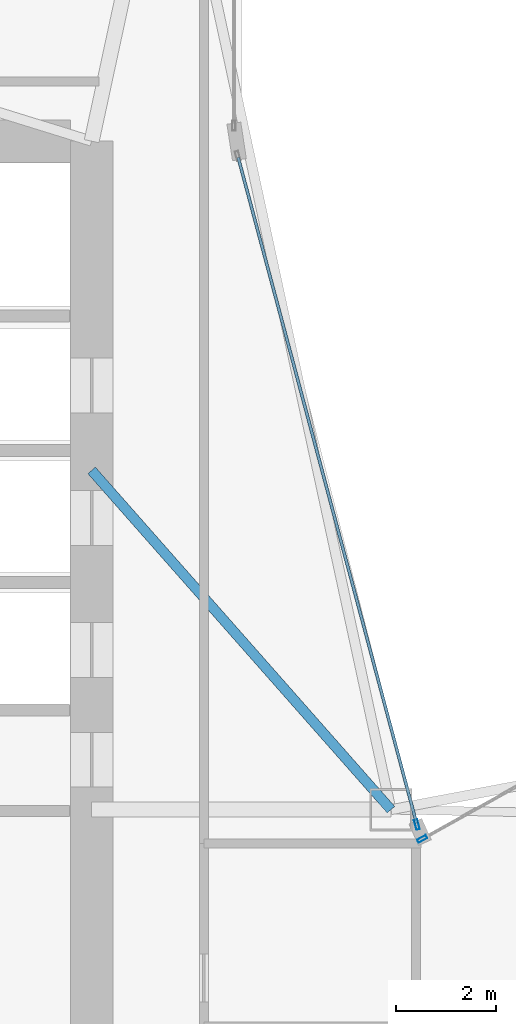
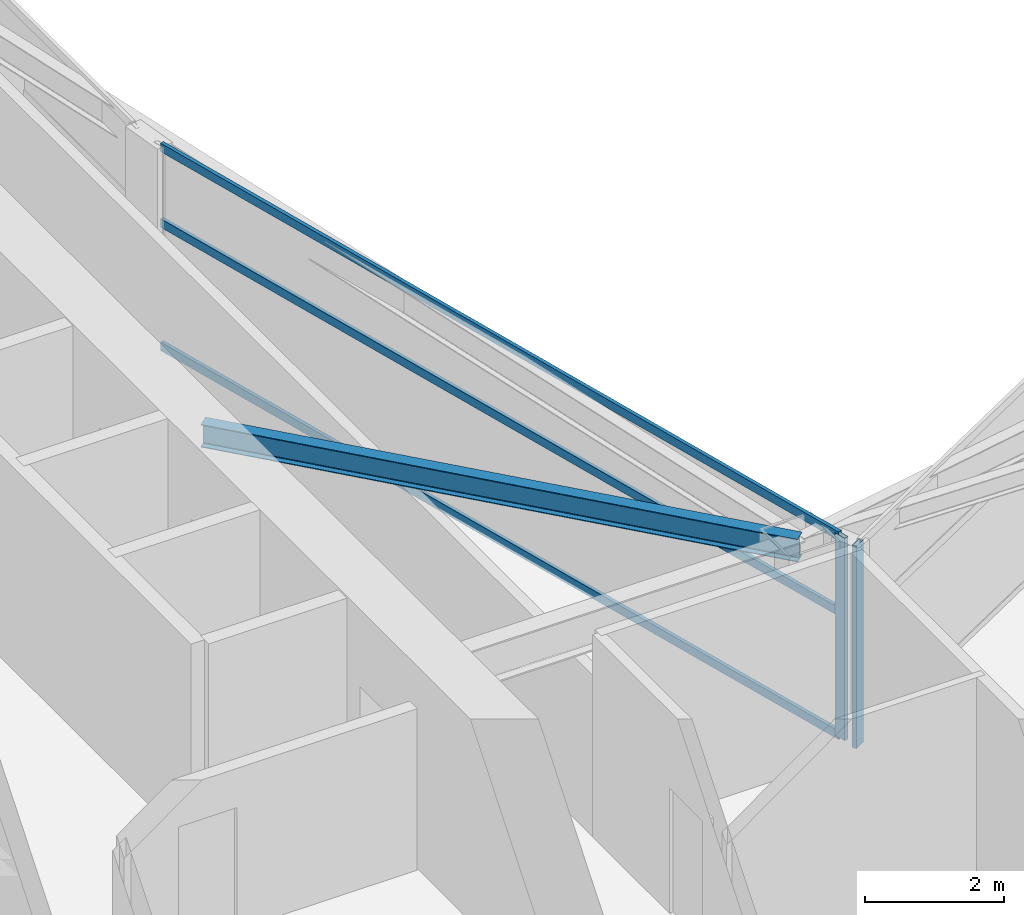
# One storey, part 10 of 29: 5 members, 1 beam, 2 elements without a shape of their own.
"""IFC4 building model written with IfcOpenShell, lengths in metres."""

from ifc_helpers import new_model, si_unit, direction, frame, origin, origin_2d, place, context, subcontext, project, spatial, hollow_rectangle, i_section, extrude, material, layer, layer_set, material_profile, profile_set, type_object, element, aggregate, save


model = new_model("IFC4")

# Units and contexts
model_context = context("Model", 3, precision=1e-05, world=origin(), true_north=direction((0.0, 1.0)))
body_context = subcontext(model_context, "Body", "Model", "MODEL_VIEW")
ifc_project = project(units=[si_unit("LENGTHUNIT", "METRE"), si_unit("AREAUNIT", "SQUARE_METRE"), si_unit("VOLUMEUNIT", "CUBIC_METRE"), si_unit("PLANEANGLEUNIT", "RADIAN"), si_unit("MASSUNIT", "GRAM", prefix="KILO")], contexts=[model_context])

# Site, building, storey
site_placement = place(None, origin())
site = spatial("IfcSite", under=ifc_project, at=site_placement, CompositionType="ELEMENT")
building_placement = place(site_placement, origin())
building = spatial("IfcBuilding", under=site, at=building_placement, Name="Calvorn Quay Hotel", CompositionType="ELEMENT")
storey_placement = place(building_placement, frame((0.0, 0.0, 120.199951171875)))
storey = spatial("IfcBuildingStorey", under=building, at=storey_placement, Name="L29", CompositionType="ELEMENT", Elevation=120.199951171875)

# Beam
ifc_material_1 = material(Name="Steel Q355B", Category="steel")
ifc_material_profile_1 = material_profile(ifc_material_1, i_section(OverallWidth=0.199951171875, OverallDepth=0.39990234375, WebThickness=0.008056640625, FlangeThickness=0.012939453125, FilletRadius=0.01611328125, at=origin_2d()), Name="HN400x200x8x13")
ifc_profile_set_1 = profile_set([ifc_material_profile_1], Name="Steel Q355B")
beam_type = type_object("IfcBeamType", Name="BM-JOIST-TYP", PredefinedType="JOIST", material=ifc_profile_set_1)
beam_placement = place(storey_placement, frame((15.0, 31.800048828125, 3.340087890625), z_axis=(0.661618965899, -0.749840212287, 0.0), x_axis=(0.749840212287, 0.661618965899, 0.0)))
element("IfcBeam", 1, at=beam_placement, inside=storey, type_object=beam_type, Name="Beam BJ-L29-C1", PredefinedType="JOIST", context=body_context, shape_type="SweptSolid", body=[
    extrude(i_section(OverallWidth=0.199951171875, OverallDepth=0.39990234375, WebThickness=0.008056640625, FlangeThickness=0.012939453125, FilletRadius=0.01611328125, at=origin_2d()), origin(), (0.0, 0.0, 1.0), 9.068603515625),
])

# Curtain wall, member
ifc_material_2 = material(Name="Pale Anodised Aluminium and Low-E Glass", Category="aluminium")
ifc_layer = layer(ifc_material_2, 0.219970703125)
ifc_layer_set = layer_set([ifc_layer], Name="CW-SYS-Z2")
curtain_wall_type = type_object("IfcCurtainWallType", Name="CW-SYS-Z2", PredefinedType="NOTDEFINED", material=ifc_layer_set)
curtain_wall_1_placement = place(storey_placement, origin())
curtain_wall_1 = element("IfcCurtainWall", 2, at=curtain_wall_1_placement, inside=storey, type_object=curtain_wall_type, Name="Inner Court Curtain Wall L29-NE1", PredefinedType="NOTDEFINED")
ifc_material_3 = material(Name="Pale Anodised Aluminium 6063-T6", Category="aluminium")
ifc_material_profile_2 = material_profile(ifc_material_3, hollow_rectangle(XDim=0.070068359375, YDim=0.199951171875, WallThickness=0.00390625, at=origin_2d()), Name="ALU-M200x70x4")
ifc_profile_set_2 = profile_set([ifc_material_profile_2], Name="Pale Anodised Aluminium 6063-T6")
member_type_1 = type_object("IfcMemberType", Name="CW-SYS-Z2-MUL", PredefinedType="MULLION", material=ifc_profile_set_2)
member_1_placement = place(storey_placement, frame((21.626220703125, 24.41455078125, 0.0), z_axis=(0.0, 0.0, 1.0), x_axis=(0.486858256224, -0.873480989116, 0.0)))
member_1 = element("IfcMember", 3, at=member_1_placement, type_object=member_type_1, Name="CW-L29-NE1 mullion 4", PredefinedType="MULLION", context=body_context, shape_type="SweptSolid", body=[
    extrude(hollow_rectangle(XDim=0.070068359375, YDim=0.199951171875, WallThickness=0.00390625, at=origin_2d()), origin(), (0.0, 0.0, 1.0), 3.56005859375),
])
aggregate(curtain_wall_1, [member_1])

# Curtain wall, members
curtain_wall_2_placement = place(storey_placement, origin())
curtain_wall_2 = element("IfcCurtainWall", 4, at=curtain_wall_2_placement, inside=storey, type_object=curtain_wall_type, Name="Inner Court Curtain Wall L29-IC1", PredefinedType="NOTDEFINED")
member_2_placement = place(storey_placement, frame((21.520263671875, 24.698974609375, 0.0), z_axis=(0.0, 0.0, 1.0), x_axis=(-0.96593652056, -0.25877913024, 0.0)))
member_2 = element("IfcMember", 5, at=member_2_placement, type_object=member_type_1, Name="CW-L29-IC1 mullion 1", PredefinedType="MULLION", context=body_context, shape_type="SweptSolid", body=[
    extrude(hollow_rectangle(XDim=0.070068359375, YDim=0.199951171875, WallThickness=0.00390625, at=origin_2d()), origin(), (0.0, 0.0, 1.0), 3.56005859375),
])
ifc_material_4 = material(Name="Pale Anodised Aluminium 6063-T6", Category="aluminium")
ifc_material_profile_3 = material_profile(ifc_material_4, hollow_rectangle(XDim=0.06005859375, YDim=0.14990234375, WallThickness=0.00341796875, at=origin_2d()), Name="ALU-T150x60x3.5")
ifc_profile_set_3 = profile_set([ifc_material_profile_3], Name="Pale Anodised Aluminium 6063-T6")
member_type_2 = type_object("IfcMemberType", Name="CW-SYS-Z2-TRN", PredefinedType="USERDEFINED", material=ifc_profile_set_3)
member_3_placement = place(storey_placement, frame((21.512451171875, 24.72802734375, 0.030029296875), z_axis=(-0.258781136883, 0.965935982969, 0.0), x_axis=(-0.965935982969, -0.258781136883, 0.0)))
member_3 = element("IfcMember", 6, at=member_3_placement, type_object=member_type_2, Name="CW-L29-IC1 transom 1.1", ObjectType="TRANSOM", PredefinedType="USERDEFINED", context=body_context, shape_type="SweptSolid", body=[
    extrude(hollow_rectangle(XDim=0.06005859375, YDim=0.14990234375, WallThickness=0.00341796875, at=origin_2d()), origin(), (0.0, 0.0, 1.0), 13.814453125),
])
member_4_placement = place(storey_placement, frame((21.512451171875, 24.72802734375, 2.199951171875), z_axis=(-0.258781136883, 0.965935982969, 0.0), x_axis=(-0.965935982969, -0.258781136883, 0.0)))
member_4 = element("IfcMember", 7, at=member_4_placement, type_object=member_type_2, Name="CW-L29-IC1 transom 1.2", ObjectType="TRANSOM", PredefinedType="USERDEFINED", context=body_context, shape_type="SweptSolid", body=[
    extrude(hollow_rectangle(XDim=0.06005859375, YDim=0.14990234375, WallThickness=0.00341796875, at=origin_2d()), origin(), (0.0, 0.0, 1.0), 13.814453125),
])
member_5_placement = place(storey_placement, frame((21.512451171875, 24.72802734375, 3.530029296875), z_axis=(-0.258781136883, 0.965935982969, 0.0), x_axis=(-0.965935982969, -0.258781136883, 0.0)))
member_5 = element("IfcMember", 8, at=member_5_placement, type_object=member_type_2, Name="CW-L29-IC1 transom 1.3", ObjectType="TRANSOM", PredefinedType="USERDEFINED", context=body_context, shape_type="SweptSolid", body=[
    extrude(hollow_rectangle(XDim=0.06005859375, YDim=0.14990234375, WallThickness=0.00341796875, at=origin_2d()), origin(), (0.0, 0.0, 1.0), 13.814453125),
])
aggregate(curtain_wall_2, [member_2, member_3, member_4, member_5])

save(model, "model.ifc")
